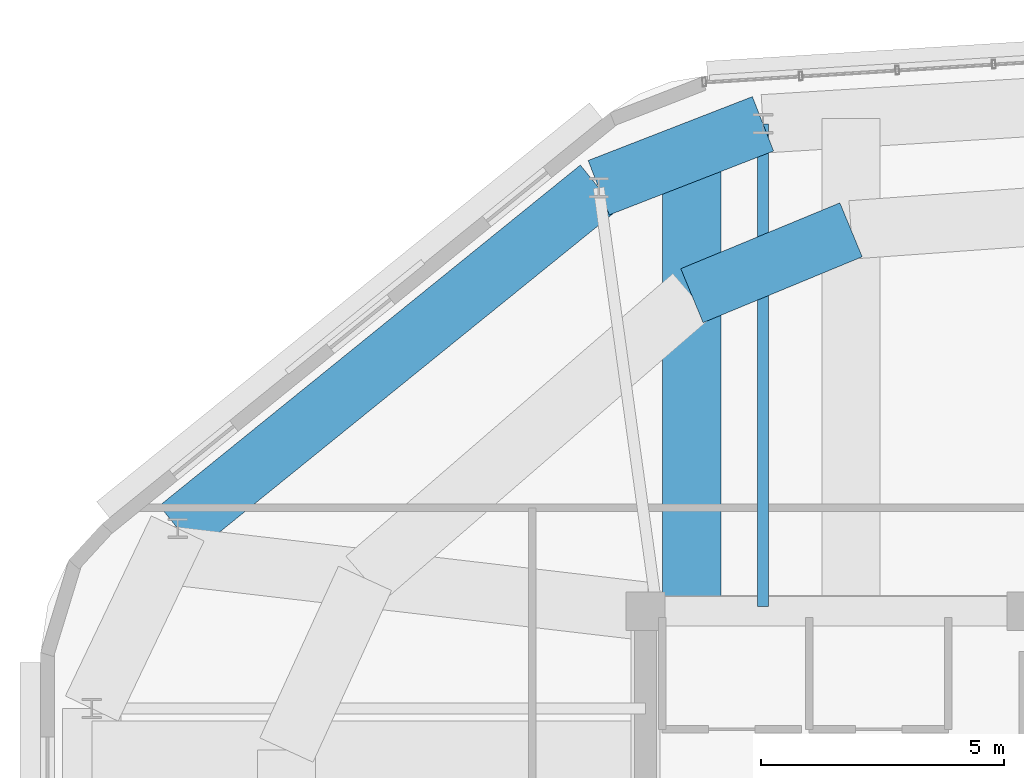
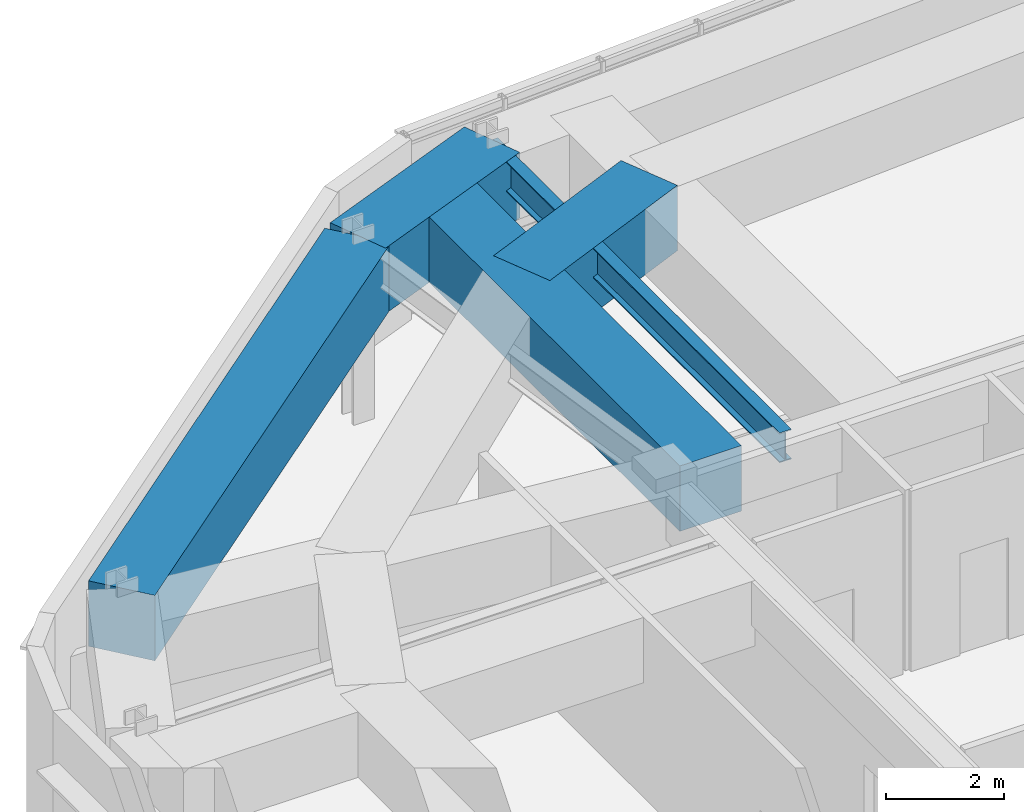
# One storey, part 9 of 17: 5 beams.
"""IFC4 building model written with IfcOpenShell, lengths in metres."""

from ifc_helpers import new_model, si_unit, direction, frame, origin, origin_2d, place, context, subcontext, project, spatial, rectangle, i_section, extrude, material, material_profile, profile_set, type_object, element, save


model = new_model("IFC4")

# Units and contexts
model_context = context("Model", 3, precision=1e-05, world=origin(), true_north=direction((0.0, 1.0)))
body_context = subcontext(model_context, "Body", "Model", "MODEL_VIEW")
ifc_project = project(units=[si_unit("LENGTHUNIT", "METRE"), si_unit("AREAUNIT", "SQUARE_METRE"), si_unit("VOLUMEUNIT", "CUBIC_METRE"), si_unit("PLANEANGLEUNIT", "RADIAN"), si_unit("MASSUNIT", "GRAM", prefix="KILO")], contexts=[model_context])

# Site, building, storey
site_placement = place(None, origin())
site = spatial("IfcSite", under=ifc_project, at=site_placement, CompositionType="ELEMENT")
building_placement = place(site_placement, origin())
building = spatial("IfcBuilding", under=site, at=building_placement, Name="Zulverin Broadcast Headquarters", CompositionType="ELEMENT")
storey_placement = place(building_placement, frame((0.0, 0.0, 317.39990234375)))
storey = spatial("IfcBuildingStorey", under=building, at=storey_placement, Name="C2", CompositionType="ELEMENT", Elevation=317.39990234375)

# Beams
ifc_material_1 = material(Name="Concrete C50/60", Category="concrete")
ifc_material_profile_1 = material_profile(ifc_material_1, rectangle(XDim=1.199951171875, YDim=1.35009765625, at=origin_2d()), Name="Concrete C50/60", Category="concrete")
ifc_profile_set_1 = profile_set([ifc_material_profile_1], Name="Concrete C50/60")
beam_type_1 = type_object("IfcBeamType", Name="BM-TG-CRN-1350", PredefinedType="USERDEFINED", material=ifc_profile_set_1)
beam_1_placement = place(storey_placement, frame((33.041259765625, 43.089599609375, 3.045166015625), z_axis=(-0.931976838329, -0.362517824138, 0.0), x_axis=(0.362517824138, -0.931976838329, 0.0)))
element("IfcBeam", 1, at=beam_1_placement, inside=storey, type_object=beam_type_1, Name="C2 Perimeter Transfer Ring Girder SP-10", ObjectType="TRANSFER GIRDER", PredefinedType="USERDEFINED", context=body_context, shape_type="SweptSolid", body=[
    extrude(rectangle(XDim=1.199951171875, YDim=1.35009765625, at=origin_2d()), origin(), (0.0, 0.0, 1.0), 3.621826171875),
])
beam_2_placement = place(storey_placement, frame((29.665771484375, 41.776611328125, 3.045166015625), z_axis=(-0.777322523018, -0.62910229312, 0.0), x_axis=(0.62910229312, -0.777322523018, 0.0)))
element("IfcBeam", 2, at=beam_2_placement, inside=storey, type_object=beam_type_1, Name="C2 Perimeter Transfer Ring Girder SP-11", ObjectType="TRANSFER GIRDER", PredefinedType="USERDEFINED", context=body_context, shape_type="SweptSolid", body=[
    extrude(rectangle(XDim=1.199951171875, YDim=1.35009765625, at=origin_2d()), origin(), (0.0, 0.0, 1.0), 11.128173828125),
])
beam_3_placement = place(storey_placement, frame((34.85009765625, 40.91162109375, 3.045166015625), z_axis=(-0.923999175622, -0.382394460537, 0.0), x_axis=(0.382394460537, -0.923999175622, 0.0)))
element("IfcBeam", 3, at=beam_3_placement, inside=storey, type_object=beam_type_1, Name="C3 Step Transfer Ring Girder TGR-10", ObjectType="TRANSFER GIRDER", PredefinedType="USERDEFINED", context=body_context, shape_type="SweptSolid", body=[
    extrude(rectangle(XDim=1.199951171875, YDim=1.35009765625, at=origin_2d()), origin(), (0.0, 0.0, 1.0), 3.53759765625),
])
beam_4_placement = place(storey_placement, frame((31.581298828125, 33.175048828125, 3.045166015625), z_axis=(0.0, 1.0, 0.0), x_axis=(-1.0, 0.0, 0.0)))
element("IfcBeam", 4, at=beam_4_placement, inside=storey, type_object=beam_type_1, Name="C3 Step Transfer Girder TG-11", ObjectType="TRANSFER GIRDER", PredefinedType="USERDEFINED", context=body_context, shape_type="SweptSolid", body=[
    extrude(rectangle(XDim=1.199951171875, YDim=1.35009765625, at=origin_2d()), origin(), (0.0, 0.0, 1.0), 9.3466796875),
])
ifc_material_2 = material(Name="Structural steel S355JR", Category="steel")
ifc_material_profile_2 = material_profile(ifc_material_2, i_section(OverallWidth=0.230224609375, OverallDepth=0.6171875, WebThickness=0.01318359375, FlangeThickness=0.022216796875, at=origin_2d()), Name="Structural steel S355JR", Category="steel")
ifc_profile_set_2 = profile_set([ifc_material_profile_2], Name="Structural steel S355JR")
beam_type_2 = type_object("IfcBeamType", Name="BM-UB-610", PredefinedType="BEAM", material=ifc_profile_set_2)
beam_5_placement = place(storey_placement, frame((33.041259765625, 33.175048828125, 3.411376953125), z_axis=(0.0, 1.0, 0.0), x_axis=(-1.0, 0.0, 0.0)))
element("IfcBeam", 5, at=beam_5_placement, inside=storey, type_object=beam_type_2, Name="C2 Radial Primary Floor Beam RB-10", PredefinedType="BEAM", context=body_context, shape_type="SweptSolid", body=[
    extrude(i_section(OverallWidth=0.230224609375, OverallDepth=0.6171875, WebThickness=0.01318359375, FlangeThickness=0.022216796875, at=origin_2d()), origin(), (0.0, 0.0, 1.0), 9.91455078125),
])

save(model, "model.ifc")
